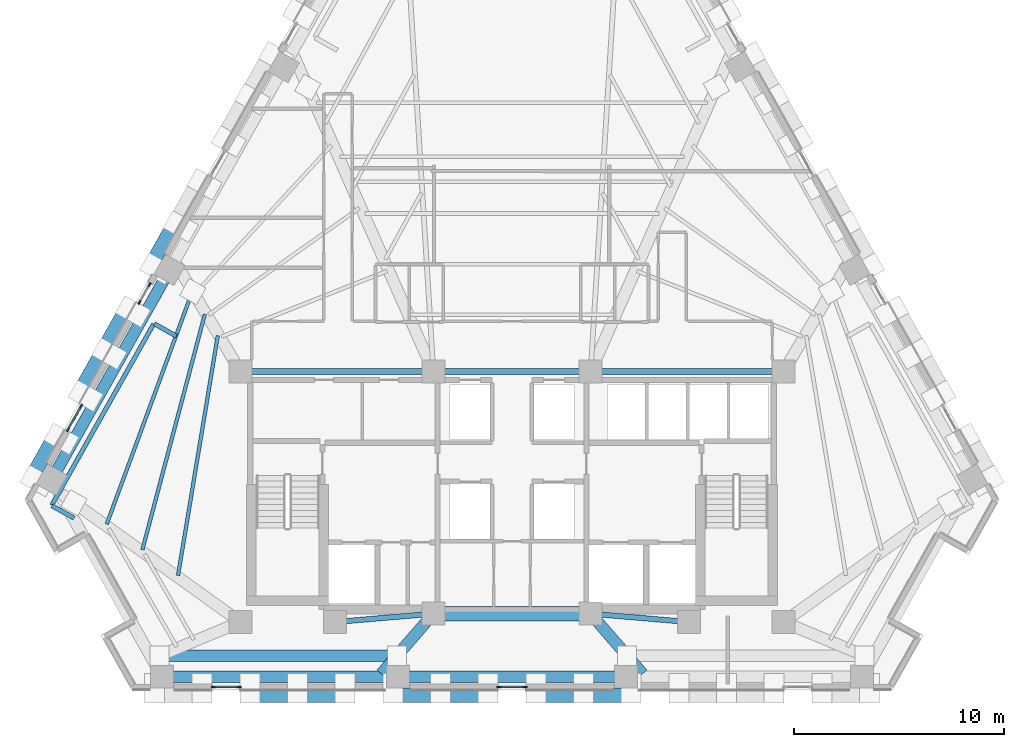
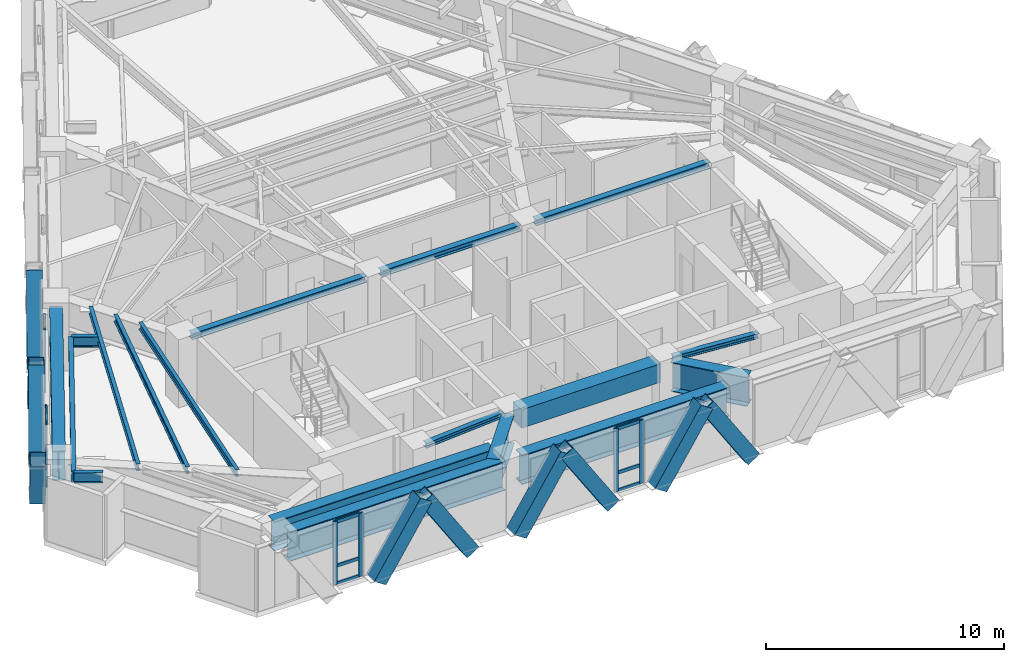
# One storey, part 2 of 13: 27 members, 18 beams, 4 elements without a shape of their own.
"""IFC4 building model written with IfcOpenShell, lengths in metres."""

from ifc_helpers import new_model, si_unit, direction, frame, origin, origin_2d, place, context, subcontext, project, spatial, rectangle, hollow_rectangle, i_section, extrude, material, material_profile, profile_set, type_object, element, aggregate, save


model = new_model("IFC4")

# Units and contexts
model_context = context("Model", 3, precision=1e-05, world=origin(), true_north=direction((0.0, 1.0)))
body_context = subcontext(model_context, "Body", "Model", "MODEL_VIEW")
ifc_project = project(units=[si_unit("LENGTHUNIT", "METRE"), si_unit("AREAUNIT", "SQUARE_METRE"), si_unit("VOLUMEUNIT", "CUBIC_METRE"), si_unit("PLANEANGLEUNIT", "RADIAN"), si_unit("MASSUNIT", "GRAM", prefix="KILO")], contexts=[model_context])

# Site, building, storey
site_placement = place(None, origin())
site = spatial("IfcSite", under=ifc_project, at=site_placement, CompositionType="ELEMENT")
building_placement = place(site_placement, origin())
building = spatial("IfcBuilding", under=site, at=building_placement, Name="Quenlor Broadcast Tower", CompositionType="ELEMENT")
storey_placement = place(building_placement, frame((0.0, 0.0, 126.5)))
storey = spatial("IfcBuildingStorey", under=building, at=storey_placement, Name="L34", CompositionType="ELEMENT", Elevation=126.5)

# Curtain wall, members
ifc_material_1 = material(Name="Architectural Terracotta and Low-E Glazing", Category="masonry")
curtain_wall_type = type_object("IfcCurtainWallType", Name="Unitised Terracotta Curtain Wall System Z2", PredefinedType="NOTDEFINED", material=ifc_material_1)
curtain_wall_1_placement = place(storey_placement, origin())
curtain_wall_1 = element("IfcCurtainWall", 1, at=curtain_wall_1_placement, inside=storey, type_object=curtain_wall_type, Name="L34 Curtain Wall CW2 (L34-SC-G1)", PredefinedType="NOTDEFINED")
ifc_material_2 = material(Name="Aluminium 6063-T6", Category="aluminium")
ifc_material_profile_1 = material_profile(ifc_material_2, rectangle(XDim=0.074951171875, YDim=0.199951171875, at=origin_2d()))
ifc_profile_set_1 = profile_set([ifc_material_profile_1], Name="Aluminium 6063-T6 MULL75x200")
member_type_1 = type_object("IfcMemberType", Name="CW2 Aluminium Mullion MULL_CW2", PredefinedType="MULLION", material=ifc_profile_set_1)
member_1_placement = place(storey_placement, frame((-13.01611328125, -19.840087890625, 0.0), z_axis=(0.0, 0.0, 1.0), x_axis=(0.0, -1.0, 0.0)))
member_1 = element("IfcMember", 2, at=member_1_placement, type_object=member_type_1, Name="CW2 mullion 1", PredefinedType="MULLION", context=body_context, shape_type="SweptSolid", body=[
    extrude(rectangle(XDim=0.074951171875, YDim=0.199951171875, at=origin_2d()), origin(), (0.0, 0.0, 1.0), 3.25),
])
member_2_placement = place(storey_placement, frame((-14.254150390625, -19.840087890625, 0.0), z_axis=(0.0, 0.0, 1.0), x_axis=(0.0, -1.0, 0.0)))
member_2 = element("IfcMember", 3, at=member_2_placement, type_object=member_type_1, Name="CW2 mullion 2", PredefinedType="MULLION", context=body_context, shape_type="SweptSolid", body=[
    extrude(rectangle(XDim=0.074951171875, YDim=0.199951171875, at=origin_2d()), origin(), (0.0, 0.0, 1.0), 3.25),
])

curtain_wall_2_placement = place(storey_placement, origin())
curtain_wall_2 = element("IfcCurtainWall", 4, at=curtain_wall_2_placement, inside=storey, type_object=curtain_wall_type, Name="L34 Curtain Wall CW2 (L34-S-G1)", PredefinedType="NOTDEFINED")
member_3_placement = place(storey_placement, frame((0.618896484375, -19.840087890625, 0.0), z_axis=(0.0, 0.0, 1.0), x_axis=(0.0, -1.0, 0.0)))
member_3 = element("IfcMember", 5, at=member_3_placement, type_object=member_type_1, Name="CW2 mullion 1", PredefinedType="MULLION", context=body_context, shape_type="SweptSolid", body=[
    extrude(rectangle(XDim=0.074951171875, YDim=0.199951171875, at=origin_2d()), origin(), (0.0, 0.0, 1.0), 3.25),
])
member_4_placement = place(storey_placement, frame((-0.618896484375, -19.840087890625, 0.0), z_axis=(0.0, 0.0, 1.0), x_axis=(0.0, -1.0, 0.0)))
member_4 = element("IfcMember", 6, at=member_4_placement, type_object=member_type_1, Name="CW2 mullion 2", PredefinedType="MULLION", context=body_context, shape_type="SweptSolid", body=[
    extrude(rectangle(XDim=0.074951171875, YDim=0.199951171875, at=origin_2d()), origin(), (0.0, 0.0, 1.0), 3.25),
])

curtain_wall_3_placement = place(storey_placement, origin())
curtain_wall_3 = element("IfcCurtainWall", 7, at=curtain_wall_3_placement, inside=storey, type_object=curtain_wall_type, Name="L34 Curtain Wall CW2 (L34-NWA-G1)", PredefinedType="NOTDEFINED")
member_5_placement = place(storey_placement, frame((-21.177734375, -7.57568359375, 0.0), z_axis=(0.0, 0.0, 1.0), x_axis=(-0.871565749621, 0.490278639232, 0.0)))
member_5 = element("IfcMember", 8, at=member_5_placement, type_object=member_type_1, Name="CW2 mullion 1", PredefinedType="MULLION", context=body_context, shape_type="SweptSolid", body=[
    extrude(rectangle(XDim=0.074951171875, YDim=0.199951171875, at=origin_2d()), origin(), (0.0, 0.0, 1.0), 3.25),
])
member_6_placement = place(storey_placement, frame((-20.545654296875, -6.451904296875, 0.0), z_axis=(0.0, 0.0, 1.0), x_axis=(-0.871565749621, 0.490278639232, 0.0)))
member_6 = element("IfcMember", 9, at=member_6_placement, type_object=member_type_1, Name="CW2 mullion 2", PredefinedType="MULLION", context=body_context, shape_type="SweptSolid", body=[
    extrude(rectangle(XDim=0.074951171875, YDim=0.199951171875, at=origin_2d()), origin(), (0.0, 0.0, 1.0), 3.25),
])

curtain_wall_4_placement = place(storey_placement, origin())
curtain_wall_4 = element("IfcCurtainWall", 10, at=curtain_wall_4_placement, inside=storey, type_object=curtain_wall_type, Name="L34 Curtain Wall CW2 (L34-NWA-G2)", PredefinedType="NOTDEFINED")
member_7_placement = place(storey_placement, frame((-17.7646484375, -1.508056640625, 0.0), z_axis=(0.0, 0.0, 1.0), x_axis=(-0.871580587336, 0.490252261371, 0.0)))
member_7 = element("IfcMember", 11, at=member_7_placement, type_object=member_type_1, Name="CW2 mullion 1", PredefinedType="MULLION", context=body_context, shape_type="SweptSolid", body=[
    extrude(rectangle(XDim=0.074951171875, YDim=0.199951171875, at=origin_2d()), origin(), (0.0, 0.0, 1.0), 3.25),
])
member_8_placement = place(storey_placement, frame((-17.282958984375, -0.651611328125, 0.0), z_axis=(0.0, 0.0, 1.0), x_axis=(-0.871580587336, 0.490252261371, 0.0)))
member_8 = element("IfcMember", 12, at=member_8_placement, type_object=member_type_1, Name="CW2 mullion 2", PredefinedType="MULLION", context=body_context, shape_type="SweptSolid", body=[
    extrude(rectangle(XDim=0.074951171875, YDim=0.199951171875, at=origin_2d()), origin(), (0.0, 0.0, 1.0), 3.25),
])
aggregate(curtain_wall_4, [member_7, member_8])

# Member
ifc_material_3 = material(Name="Aluminium 6063-T6", Category="aluminium")
ifc_material_profile_2 = material_profile(ifc_material_3, rectangle(XDim=0.074951171875, YDim=0.1650390625, at=origin_2d()))
ifc_profile_set_2 = profile_set([ifc_material_profile_2], Name="Aluminium 6063-T6 TRAN75x165")
member_type_2 = type_object("IfcMemberType", Name="CW2 Aluminium Transom TRAN_CW2", PredefinedType="USERDEFINED", material=ifc_profile_set_2)
member_9_placement = place(storey_placement, frame((-13.0537109375, -19.840087890625, 0.03759765625), z_axis=(-1.0, 0.0, 0.0), x_axis=(0.0, -1.0, 0.0)))
member_9 = element("IfcMember", 13, at=member_9_placement, type_object=member_type_2, Name="CW2 transom 1.1", ObjectType="TRANSOM", PredefinedType="USERDEFINED", context=body_context, shape_type="SweptSolid", body=[
    extrude(rectangle(XDim=0.074951171875, YDim=0.1650390625, at=origin_2d()), origin(), (0.0, 0.0, 1.0), 1.1630859375),
])

member_10_placement = place(storey_placement, frame((-13.0537109375, -19.840087890625, 0.949951171875), z_axis=(-1.0, 0.0, 0.0), x_axis=(0.0, -1.0, 0.0)))
member_10 = element("IfcMember", 14, at=member_10_placement, type_object=member_type_2, Name="CW2 transom 1.2", ObjectType="TRANSOM", PredefinedType="USERDEFINED", context=body_context, shape_type="SweptSolid", body=[
    extrude(rectangle(XDim=0.074951171875, YDim=0.1650390625, at=origin_2d()), origin(), (0.0, 0.0, 1.0), 1.1630859375),
])

member_11_placement = place(storey_placement, frame((-13.0537109375, -19.840087890625, 3.21240234375), z_axis=(-1.0, 0.0, 0.0), x_axis=(0.0, -1.0, 0.0)))
member_11 = element("IfcMember", 15, at=member_11_placement, type_object=member_type_2, Name="CW2 transom 1.3", ObjectType="TRANSOM", PredefinedType="USERDEFINED", context=body_context, shape_type="SweptSolid", body=[
    extrude(rectangle(XDim=0.074951171875, YDim=0.1650390625, at=origin_2d()), origin(), (0.0, 0.0, 1.0), 1.1630859375),
])

aggregate(curtain_wall_1, [member_1, member_2, member_9, member_10, member_11])

member_12_placement = place(storey_placement, frame((0.58154296875, -19.840087890625, 0.03759765625), z_axis=(-1.0, 0.0, 0.0), x_axis=(0.0, -1.0, 0.0)))
member_12 = element("IfcMember", 16, at=member_12_placement, type_object=member_type_2, Name="CW2 transom 1.1", ObjectType="TRANSOM", PredefinedType="USERDEFINED", context=body_context, shape_type="SweptSolid", body=[
    extrude(rectangle(XDim=0.074951171875, YDim=0.1650390625, at=origin_2d()), origin(), (0.0, 0.0, 1.0), 1.1630859375),
])

member_13_placement = place(storey_placement, frame((0.58154296875, -19.840087890625, 0.949951171875), z_axis=(-1.0, 0.0, 0.0), x_axis=(0.0, -1.0, 0.0)))
member_13 = element("IfcMember", 17, at=member_13_placement, type_object=member_type_2, Name="CW2 transom 1.2", ObjectType="TRANSOM", PredefinedType="USERDEFINED", context=body_context, shape_type="SweptSolid", body=[
    extrude(rectangle(XDim=0.074951171875, YDim=0.1650390625, at=origin_2d()), origin(), (0.0, 0.0, 1.0), 1.1630859375),
])

member_14_placement = place(storey_placement, frame((0.58154296875, -19.840087890625, 3.21240234375), z_axis=(-1.0, 0.0, 0.0), x_axis=(0.0, -1.0, 0.0)))
member_14 = element("IfcMember", 18, at=member_14_placement, type_object=member_type_2, Name="CW2 transom 1.3", ObjectType="TRANSOM", PredefinedType="USERDEFINED", context=body_context, shape_type="SweptSolid", body=[
    extrude(rectangle(XDim=0.074951171875, YDim=0.1650390625, at=origin_2d()), origin(), (0.0, 0.0, 1.0), 1.1630859375),
])

aggregate(curtain_wall_2, [member_3, member_4, member_12, member_13, member_14])

member_15_placement = place(storey_placement, frame((-21.159423828125, -7.54296875, 0.03759765625), z_axis=(0.490347143438, 0.871527210661, 0.0), x_axis=(-0.871527210661, 0.490347143438, 0.0)))
member_15 = element("IfcMember", 19, at=member_15_placement, type_object=member_type_2, Name="CW2 transom 1.1", ObjectType="TRANSOM", PredefinedType="USERDEFINED", context=body_context, shape_type="SweptSolid", body=[
    extrude(rectangle(XDim=0.074951171875, YDim=0.1650390625, at=origin_2d()), origin(), (0.0, 0.0, 1.0), 1.21435546875),
])

member_16_placement = place(storey_placement, frame((-21.159423828125, -7.54296875, 0.949951171875), z_axis=(0.490347143438, 0.871527210661, 0.0), x_axis=(-0.871527210661, 0.490347143438, 0.0)))
member_16 = element("IfcMember", 20, at=member_16_placement, type_object=member_type_2, Name="CW2 transom 1.2", ObjectType="TRANSOM", PredefinedType="USERDEFINED", context=body_context, shape_type="SweptSolid", body=[
    extrude(rectangle(XDim=0.074951171875, YDim=0.1650390625, at=origin_2d()), origin(), (0.0, 0.0, 1.0), 1.21435546875),
])

member_17_placement = place(storey_placement, frame((-21.159423828125, -7.54296875, 3.21240234375), z_axis=(0.490347143438, 0.871527210661, 0.0), x_axis=(-0.871527210661, 0.490347143438, 0.0)))
member_17 = element("IfcMember", 21, at=member_17_placement, type_object=member_type_2, Name="CW2 transom 1.3", ObjectType="TRANSOM", PredefinedType="USERDEFINED", context=body_context, shape_type="SweptSolid", body=[
    extrude(rectangle(XDim=0.074951171875, YDim=0.1650390625, at=origin_2d()), origin(), (0.0, 0.0, 1.0), 1.21435546875),
])

aggregate(curtain_wall_3, [member_5, member_6, member_15, member_16, member_17])

# Beams
ifc_material_4 = material(Name="Concrete C50/60", Category="concrete")
ifc_material_profile_3 = material_profile(ifc_material_4, rectangle(XDim=0.699951171875, YDim=0.949951171875, at=origin_2d()))
ifc_profile_set_3 = profile_set([ifc_material_profile_3], Name="Concrete C50/60 RCB700x950")
beam_type_1 = type_object("IfcBeamType", Name="Core Coupling Beam Concrete C50/60 700x950", PredefinedType="BEAM", material=ifc_profile_set_3)
beam_1_placement = place(storey_placement, frame((-3.389892578125, -16.35009765625, 2.77490234375), z_axis=(1.0, 0.0, 0.0), x_axis=(0.0, 1.0, 0.0)))
element("IfcBeam", 22, at=beam_1_placement, inside=storey, type_object=beam_type_1, Name="L34 Core Coupling Beam 6", PredefinedType="BEAM", context=body_context, shape_type="SweptSolid", body=[
    extrude(rectangle(XDim=0.699951171875, YDim=0.949951171875, at=origin_2d()), origin(), (0.0, 0.0, 1.0), 6.77978515625),
])
ifc_material_5 = material(Name="Steel S355", Category="steel")
ifc_material_profile_4 = material_profile(ifc_material_5, i_section(OverallWidth=0.304931640625, OverallDepth=0.30810546875, WebThickness=0.010009765625, FlangeThickness=0.015380859375, FilletRadius=0.0166015625, at=origin_2d()))
ifc_profile_set_4 = profile_set([ifc_material_profile_4], Name="Steel S355 310UC96.8")
beam_type_2 = type_object("IfcBeamType", Name="Core Header Beam Steel S355 310UC96.8", PredefinedType="BEAM", material=ifc_profile_set_4)
beam_2_placement = place(storey_placement, frame((-3.389892578125, -4.800048828125, 3.095947265625), z_axis=(1.0, 0.0, 0.0), x_axis=(0.0, 1.0, 0.0)))
element("IfcBeam", 23, at=beam_2_placement, inside=storey, type_object=beam_type_2, Name="L34 Core Header Beam 2", PredefinedType="BEAM", context=body_context, shape_type="SweptSolid", body=[
    extrude(i_section(OverallWidth=0.304931640625, OverallDepth=0.30810546875, WebThickness=0.010009765625, FlangeThickness=0.015380859375, FilletRadius=0.0166015625, at=origin_2d()), origin(), (0.0, 0.0, 1.0), 6.77978515625),
])
ifc_material_6 = material(Name="Steel S355", Category="steel")
ifc_material_profile_5 = material_profile(ifc_material_6, i_section(OverallWidth=0.25390625, OverallDepth=0.25390625, WebThickness=0.008544921875, FlangeThickness=0.01416015625, FilletRadius=0.013916015625, at=origin_2d()))
ifc_profile_set_5 = profile_set([ifc_material_profile_5], Name="Steel S355 250UC72.9")
beam_type_3 = type_object("IfcBeamType", Name="Core Opening Lintel Beam Steel S355 250UC72.9", PredefinedType="LINTEL", material=ifc_profile_set_5)
for number, where, z_axis, x_axis, name in (
    (24, (-8.09130859375, -16.719482421875, 3.123046875), (0.996399763903, 0.084779186679, 0.0), (-0.084779186679, 0.996399763903, 0.0), "L34 Core Opening Lintel Beam 4"),
    (25, (4.108642578125, -16.380615234375, 3.123046875), (0.996399763903, -0.084779186679, 0.0), (0.084779186679, 0.996399763903, 0.0), "L34 Core Opening Lintel Beam 5"),
):
    element("IfcBeam", number, at=place(storey_placement, frame(where, z_axis=z_axis, x_axis=x_axis)), inside=storey, type_object=beam_type_3, Name=name, PredefinedType="LINTEL", context=body_context, shape_type="SweptSolid", body=[
        extrude(i_section(OverallWidth=0.25390625, OverallDepth=0.25390625, WebThickness=0.008544921875, FlangeThickness=0.01416015625, FilletRadius=0.013916015625, at=origin_2d()), origin(), (0.0, 0.0, 1.0), 3.9970703125),
    ])
ifc_material_7 = material(Name="Steel S355", Category="steel")
ifc_material_profile_6 = material_profile(ifc_material_7, i_section(OverallWidth=0.306884765625, OverallDepth=0.314697265625, WebThickness=0.011962890625, FlangeThickness=0.018798828125, FilletRadius=0.0166015625, at=origin_2d()))
ifc_profile_set_6 = profile_set([ifc_material_profile_6], Name="Steel S355 310UC118")
beam_type_4 = type_object("IfcBeamType", Name="Core Tie Beam Steel S355 310UC118", PredefinedType="BEAM", material=ifc_profile_set_6)
for number, where, z_axis, x_axis, name in (
    (26, (-12.590087890625, -4.800048828125, 3.0927734375), (1.0, 0.0, 0.0), (0.0, 1.0, 0.0), "L34 Core Tie Beam 1"),
    (27, (4.110107421875, -4.800048828125, 3.0927734375), (1.0, 0.0, 0.0), (0.0, 1.0, 0.0), "L34 Core Tie Beam 3"),
):
    element("IfcBeam", number, at=place(storey_placement, frame(where, z_axis=z_axis, x_axis=x_axis)), inside=storey, type_object=beam_type_4, Name=name, PredefinedType="BEAM", context=body_context, shape_type="SweptSolid", body=[
        extrude(i_section(OverallWidth=0.306884765625, OverallDepth=0.314697265625, WebThickness=0.011962890625, FlangeThickness=0.018798828125, FilletRadius=0.0166015625, at=origin_2d()), origin(), (0.0, 0.0, 1.0), 8.47998046875),
    ])

# Members
ifc_material_8 = material(Name="Steel S355", Category="steel")
ifc_material_profile_7 = material_profile(ifc_material_8, hollow_rectangle(XDim=0.679931640625, YDim=0.679931640625, WallThickness=0.030029296875, at=origin_2d()))
ifc_profile_set_7 = profile_set([ifc_material_profile_7], Name="Steel S355 RHS680x680x30")
member_type_3 = type_object("IfcMemberType", Name="Perimeter Diagonal Lattice Brace Z2 Steel S355 RHS680x30", PredefinedType="BRACE", material=ifc_profile_set_7)
for number, where, z_axis, x_axis, name in (
    (28, (5.667724609375, -20.235107421875, -0.1201171875), (-0.539968035679, 0.0, 0.841685523485), (0.0, -1.0, 0.0), "L34 Perimeter Diamond Lattice S-C2S"),
    (29, (-1.14990234375, -20.235107421875, -0.1201171875), (-0.539968035679, 0.0, 0.841685523485), (0.0, -1.0, 0.0), "L34 Perimeter Diamond Lattice S-C3S"),
    (30, (1.14990234375, -20.235107421875, -0.1201171875), (0.539968035679, 0.0, 0.841685523485), (0.0, 1.0, 0.0), "L34 Perimeter Diamond Lattice S-C3B"),
    (31, (-7.967529296875, -20.235107421875, -0.1201171875), (-0.539968035679, 0.0, 0.841685523485), (0.0, -1.0, 0.0), "L34 Perimeter Diamond Lattice S-C4S"),
    (32, (-5.667724609375, -20.235107421875, -0.1201171875), (0.539968035679, 0.0, 0.841685523485), (0.0, 1.0, 0.0), "L34 Perimeter Diamond Lattice S-C4B"),
    (33, (-12.4853515625, -20.235107421875, -0.1201171875), (0.539968035679, 0.0, 0.841685523485), (0.0, 1.0, 0.0), "L34 Perimeter Diamond Lattice S-C5B"),
):
    element("IfcMember", number, at=place(storey_placement, frame(where, z_axis=z_axis, x_axis=x_axis)), inside=storey, type_object=member_type_3, Name=name, PredefinedType="BRACE", context=body_context, shape_type="SweptSolid", body=[
        extrude(hollow_rectangle(XDim=0.679931640625, YDim=0.679931640625, WallThickness=0.030029296875, at=origin_2d()), origin(), (0.0, 0.0, 1.0), 4.158203125),
    ])
for number, where, z_axis, x_axis, name in (
    (34, (-20.63037109375, -5.796630859375, -0.1201171875), (0.268696511206, 0.477585438485, 0.836489290913), (-0.871532878923, 0.490337068716, 0.0), "L34 Perimeter Diamond Lattice NW-C1S"),
    (35, (-21.781494140625, -7.843505859375, -0.1201171875), (-0.268696511206, -0.477585438485, 0.836489290913), (0.871532878923, -0.490337068716, 0.0), "L34 Perimeter Diamond Lattice NW-C1B"),
    (36, (-17.21728515625, 0.27099609375, -0.1201171875), (0.268696511206, 0.477585438485, 0.836489290913), (-0.871532878923, 0.490337068716, 0.0), "L34 Perimeter Diamond Lattice NW-C2S"),
    (37, (-18.368408203125, -1.77587890625, -0.1201171875), (-0.268696511206, -0.477585438485, 0.836489290913), (0.871532878923, -0.490337068716, 0.0), "L34 Perimeter Diamond Lattice NW-C2B"),
):
    element("IfcMember", number, at=place(storey_placement, frame(where, z_axis=z_axis, x_axis=x_axis)), inside=storey, type_object=member_type_3, Name=name, PredefinedType="BRACE", context=body_context, shape_type="SweptSolid", body=[
        extrude(hollow_rectangle(XDim=0.679931640625, YDim=0.679931640625, WallThickness=0.030029296875, at=origin_2d()), origin(), (0.0, 0.0, 1.0), 4.18408203125),
    ])

# Beams
ifc_material_9 = material(Name="Steel S355", Category="steel")
ifc_material_profile_8 = material_profile(ifc_material_9, i_section(OverallWidth=0.208984375, OverallDepth=0.532958984375, WebThickness=0.01025390625, FlangeThickness=0.015625, FilletRadius=0.013916015625, at=origin_2d()))
ifc_profile_set_8 = profile_set([ifc_material_profile_8], Name="Steel S355 530UB92.4")
beam_type_5 = type_object("IfcBeamType", Name="Perimeter Spandrel Beam Z1 Steel S355 530UB92.4", PredefinedType="SPANDREL", material=ifc_profile_set_8)
beam_3_placement = place(storey_placement, frame((-20.887939453125, -11.794189453125, 2.9833984375), z_axis=(-0.871661741425, 0.490107956001, 0.0), x_axis=(-0.490107956001, -0.871661741425, 0.0)))
element("IfcBeam", 38, at=beam_3_placement, inside=storey, type_object=beam_type_5, Name="L34 Lattice Sill Radial Tie NWA1", PredefinedType="SPANDREL", context=body_context, shape_type="SweptSolid", body=[
    extrude(i_section(OverallWidth=0.208984375, OverallDepth=0.532958984375, WebThickness=0.01025390625, FlangeThickness=0.015625, FilletRadius=0.013916015625, at=origin_2d()), origin(), (0.0, 0.0, 1.0), 1.2099609375),
])
beam_4_placement = place(storey_placement, frame((-16.005859375, -3.11474609375, 2.9833984375), z_axis=(-0.871575537125, 0.490261239633, 0.0), x_axis=(-0.490261239633, -0.871575537125, 0.0)))
element("IfcBeam", 39, at=beam_4_placement, inside=storey, type_object=beam_type_5, Name="L34 Lattice Sill Radial Tie NWA2", PredefinedType="SPANDREL", context=body_context, shape_type="SweptSolid", body=[
    extrude(i_section(OverallWidth=0.208984375, OverallDepth=0.532958984375, WebThickness=0.01025390625, FlangeThickness=0.015625, FilletRadius=0.013916015625, at=origin_2d()), origin(), (0.0, 0.0, 1.0), 1.210205078125),
])
beam_5_placement = place(storey_placement, frame((-21.9501953125, -11.173828125, 2.9833984375), z_axis=(0.490261239633, 0.871575537125, 0.0), x_axis=(-0.871575537125, 0.490261239633, 0.0)))
element("IfcBeam", 40, at=beam_5_placement, inside=storey, type_object=beam_type_5, Name="L34 Lattice Sill Girder NWA", PredefinedType="SPANDREL", context=body_context, shape_type="SweptSolid", body=[
    extrude(i_section(OverallWidth=0.208984375, OverallDepth=0.532958984375, WebThickness=0.01025390625, FlangeThickness=0.015625, FilletRadius=0.013916015625, at=origin_2d()), origin(), (0.0, 0.0, 1.0), 9.918212890625),
])
ifc_material_10 = material(Name="Steel S355", Category="steel")
ifc_material_profile_9 = material_profile(ifc_material_10, i_section(OverallWidth=0.172119140625, OverallDepth=0.358642578125, WebThickness=0.008056640625, FlangeThickness=0.012939453125, FilletRadius=0.011474609375, at=origin_2d()))
ifc_profile_set_9 = profile_set([ifc_material_profile_9], Name="Steel S355 360UB56.7")
beam_type_6 = type_object("IfcBeamType", Name="Tower Composite Joist Z2-Z3 Steel S355 360UB56.7", PredefinedType="JOIST", material=ifc_profile_set_9)
beam_6_placement = place(storey_placement, frame((-15.926513671875, -14.52783203125, 3.07080078125), z_axis=(0.163517886977, 0.986540369493, 0.0), x_axis=(-0.986540369493, 0.163517886977, 0.0)))
element("IfcBeam", 41, at=beam_6_placement, inside=storey, type_object=beam_type_6, Name="L34 Secondary Composite Joist 13", PredefinedType="JOIST", context=body_context, shape_type="SweptSolid", body=[
    extrude(i_section(OverallWidth=0.172119140625, OverallDepth=0.358642578125, WebThickness=0.008056640625, FlangeThickness=0.012939453125, FilletRadius=0.011474609375, at=origin_2d()), origin(), (0.0, 0.0, 1.0), 11.593505859375),
])
beam_7_placement = place(storey_placement, frame((-17.62744140625, -13.3046875, 3.07080078125), z_axis=(0.256252124766, 0.966609977474, 0.0), x_axis=(-0.966609977474, 0.256252124766, 0.0)))
element("IfcBeam", 42, at=beam_7_placement, inside=storey, type_object=beam_type_6, Name="L34 Secondary Composite Joist 14", PredefinedType="JOIST", context=body_context, shape_type="SweptSolid", body=[
    extrude(i_section(OverallWidth=0.172119140625, OverallDepth=0.358642578125, WebThickness=0.008056640625, FlangeThickness=0.012939453125, FilletRadius=0.011474609375, at=origin_2d()), origin(), (0.0, 0.0, 1.0), 11.626220703125),
])
beam_8_placement = place(storey_placement, frame((-19.328857421875, -12.08203125, 3.07080078125), z_axis=(0.345408154907, 0.938452559549, 0.0), x_axis=(-0.938452559549, 0.345408154907, 0.0)))
element("IfcBeam", 43, at=beam_8_placement, inside=storey, type_object=beam_type_6, Name="L34 Secondary Composite Joist 15", PredefinedType="JOIST", context=body_context, shape_type="SweptSolid", body=[
    extrude(i_section(OverallWidth=0.172119140625, OverallDepth=0.358642578125, WebThickness=0.008056640625, FlangeThickness=0.012939453125, FilletRadius=0.011474609375, at=origin_2d()), origin(), (0.0, 0.0, 1.0), 11.763671875),
])
ifc_material_11 = material(Name="Steel S355", Category="steel")
ifc_material_profile_10 = material_profile(ifc_material_11, i_section(OverallWidth=0.550048828125, OverallDepth=1.5, WebThickness=0.02197265625, FlangeThickness=0.034912109375, FilletRadius=0.01806640625, at=origin_2d()))
ifc_profile_set_10 = profile_set([ifc_material_profile_10], Name="Steel S355 1500TG510")
beam_type_7 = type_object("IfcBeamType", Name="Zone Setback Transfer Girder Steel S355 1500", PredefinedType="BEAM", material=ifc_profile_set_10)
beam_9_placement = place(storey_placement, frame((-16.282470703125, -19.35009765625, 2.5), z_axis=(1.0, 0.0, 0.0), x_axis=(0.0, 1.0, 0.0)))
element("IfcBeam", 44, at=beam_9_placement, inside=storey, type_object=beam_type_7, Name="L34 Spandrel Beam S1-S2", PredefinedType="BEAM", context=body_context, shape_type="SweptSolid", body=[
    extrude(i_section(OverallWidth=0.550048828125, OverallDepth=1.5, WebThickness=0.02197265625, FlangeThickness=0.034912109375, FilletRadius=0.01806640625, at=origin_2d()), origin(), (0.0, 0.0, 1.0), 10.42919921875),
])
beam_10_placement = place(storey_placement, frame((-5.033203125, -19.35009765625, 2.5), z_axis=(1.0, 0.0, 0.0), x_axis=(0.0, 1.0, 0.0)))
element("IfcBeam", 45, at=beam_10_placement, inside=storey, type_object=beam_type_7, Name="L34 Spandrel Beam S2-S3", PredefinedType="BEAM", context=body_context, shape_type="SweptSolid", body=[
    extrude(i_section(OverallWidth=0.550048828125, OverallDepth=1.5, WebThickness=0.02197265625, FlangeThickness=0.034912109375, FilletRadius=0.01806640625, at=origin_2d()), origin(), (0.0, 0.0, 1.0), 10.06640625),
])
beam_11_placement = place(storey_placement, frame((-16.531005859375, -0.314453125, 2.5), z_axis=(-0.490263415828, -0.871574313011, 0.0), x_axis=(0.871574313011, -0.490263415828, 0.0)))
element("IfcBeam", 46, at=beam_11_placement, inside=storey, type_object=beam_type_7, Name="L34 Spandrel Beam NW3-NW4", PredefinedType="BEAM", context=body_context, shape_type="SweptSolid", body=[
    extrude(i_section(OverallWidth=0.550048828125, OverallDepth=1.5, WebThickness=0.02197265625, FlangeThickness=0.034912109375, FilletRadius=0.01806640625, at=origin_2d()), origin(), (0.0, 0.0, 1.0), 10.65283203125),
])
for number, where, z_axis, x_axis, name in (
    (47, (-3.998779296875, -16.63720703125, 2.5), (-0.654406680655, -0.756142775086, 0.0), (0.756142775086, -0.654406680655, 0.0), "L34 Setback Transfer Girder S2"),
    (48, (3.998779296875, -16.63720703125, 2.5), (0.654406680655, -0.756142775086, 0.0), (0.756142775086, 0.654406680655, 0.0), "L34 Setback Transfer Girder S3"),
):
    element("IfcBeam", number, at=place(storey_placement, frame(where, z_axis=z_axis, x_axis=x_axis)), inside=storey, type_object=beam_type_7, Name=name, PredefinedType="BEAM", context=body_context, shape_type="SweptSolid", body=[
        extrude(i_section(OverallWidth=0.550048828125, OverallDepth=1.5, WebThickness=0.02197265625, FlangeThickness=0.034912109375, FilletRadius=0.01806640625, at=origin_2d()), origin(), (0.0, 0.0, 1.0), 3.40771484375),
    ])
beam_12_placement = place(storey_placement, frame((-16.48828125, -18.35009765625, 2.5), z_axis=(1.0, 0.0, 0.0), x_axis=(0.0, 1.0, 0.0)))
element("IfcBeam", 49, at=beam_12_placement, inside=storey, type_object=beam_type_7, Name="L34 South Setback Collector Girder A", PredefinedType="BEAM", context=body_context, shape_type="SweptSolid", body=[
    extrude(i_section(OverallWidth=0.550048828125, OverallDepth=1.5, WebThickness=0.02197265625, FlangeThickness=0.034912109375, FilletRadius=0.01806640625, at=origin_2d()), origin(), (0.0, 0.0, 1.0), 10.687255859375),
])

save(model, "model.ifc")
